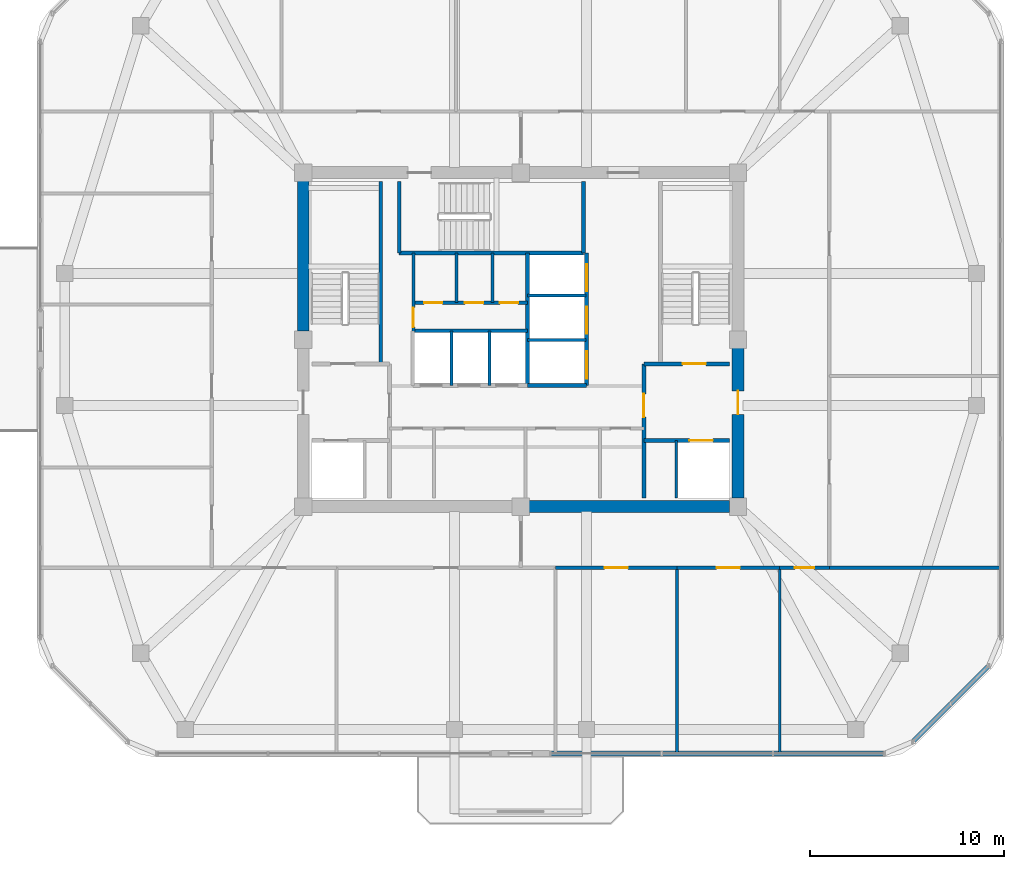
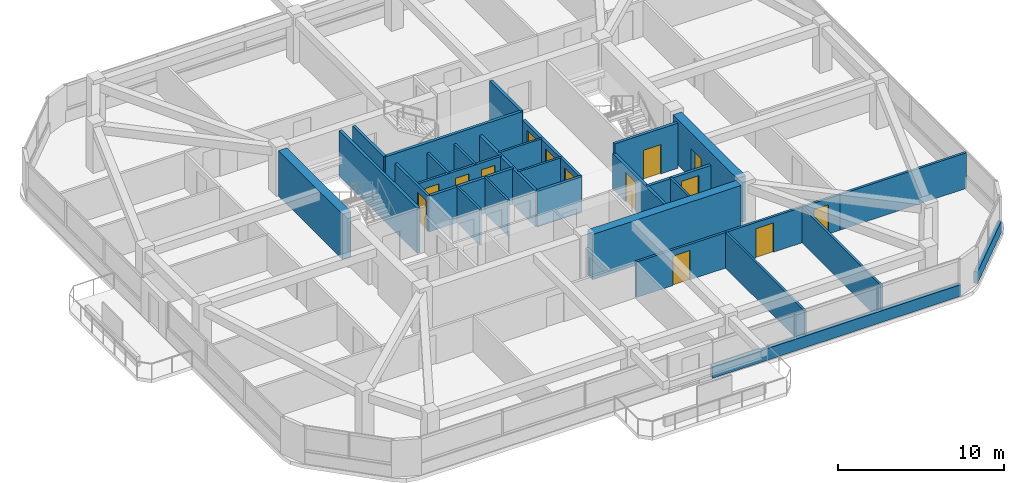
# One storey, part 9 of 13: 31 walls, 14 doors, 14 openings.
"""IFC4 building model written with IfcOpenShell, lengths in metres."""

import ifcopenshell
import ifcopenshell.guid

model = None  # the IFC model being written
_history = None  # IfcOwnerHistory: only IFC2X3 demands one
_inside = {}  # id of a spatial element -> (the spatial element, [elements in it])
_under = {}  # id of a project, library or spatial element -> (it, [spatial elements below it])
_declared = {}  # id of a project -> (the project, [libraries it declares])
_typed = {}  # id of a type object -> (the type object, [elements of that type])
_made_of = {}  # id of a material, layer set ... -> (it, [elements and type objects made of it])


def new_model(schema):
    """Start an empty IFC model of exactly this schema.

    Asked for "IFC4X3", IfcOpenShell would pick the latest addendum, in which some entities
    have other attributes; the version numbers below select the first issue.
    IFC2X3 requires an IfcOwnerHistory on every rooted entity: one is made here for all.
    """
    global model, _history
    if schema == "IFC4X3":
        model = ifcopenshell.file(schema_version=(4, 3, 0, 0))
    else:
        model = ifcopenshell.file(schema=schema)
    _inside.clear()
    _under.clear()
    _declared.clear()
    _typed.clear()
    _made_of.clear()
    _history = None
    if model.schema == "IFC2X3":
        org = make("IfcOrganization", Name="unknown")
        user = make(
            "IfcPersonAndOrganization",
            ThePerson=make("IfcPerson", FamilyName="unknown"),
            TheOrganization=org,
        )
        app = make(
            "IfcApplication",
            ApplicationDeveloper=org,
            Version="unknown",
            ApplicationFullName="unknown",
            ApplicationIdentifier="unknown",
        )
        _history = make(
            "IfcOwnerHistory",
            OwningUser=user,
            OwningApplication=app,
            ChangeAction="ADDED",
            CreationDate=0,
        )
    return model


def make(cls, **values):
    """One entity of the class cls with the attributes given. An attribute that is None is left unset."""
    return model.create_entity(
        cls, **{name: value for name, value in values.items() if value is not None}
    )


def rooted(cls, **values):
    """An entity with a GlobalId (a new one), such as an element, a storey or a relation."""
    return make(cls, GlobalId=ifcopenshell.guid.new(), OwnerHistory=_history, **values)


def si_unit(unit_type, name, prefix=None):
    """IfcSIUnit, for example si_unit("LENGTHUNIT", "METRE", prefix="MILLI")."""
    return make("IfcSIUnit", UnitType=unit_type, Prefix=prefix, Name=name)


def derived_unit(unit_type, elements):
    """IfcDerivedUnit: a product of units, each with its exponent."""
    return make(
        "IfcDerivedUnit",
        Elements=[
            make("IfcDerivedUnitElement", Unit=unit, Exponent=power)
            for unit, power in elements
        ],
        UnitType=unit_type,
    )


def assignment(units):
    """IfcUnitAssignment: the units of a project."""
    return None if units is None else make("IfcUnitAssignment", Units=units)


def point(xyz):
    """IfcCartesianPoint."""
    return None if xyz is None else make("IfcCartesianPoint", Coordinates=xyz)


def direction(xyz):
    """IfcDirection."""
    return None if xyz is None else make("IfcDirection", DirectionRatios=xyz)


def frame(location, z_axis=None, x_axis=None):
    """IfcAxis2Placement3D, a coordinate frame: its origin and axes. An axis left out is left unset."""
    return make(
        "IfcAxis2Placement3D",
        Location=point(location),
        Axis=direction(z_axis),
        RefDirection=direction(x_axis),
    )


def frame_2d(location, x_axis=None):
    """IfcAxis2Placement2D, a coordinate frame in the plane: its origin and x axis."""
    return make(
        "IfcAxis2Placement2D", Location=point(location), RefDirection=direction(x_axis)
    )


def origin():
    """The frame at (0, 0, 0) with its axes left unset."""
    return frame((0.0, 0.0, 0.0))


def place(relative_to, where):
    """IfcLocalPlacement: puts the frame where relative to a parent placement (None: the world)."""
    return make(
        "IfcLocalPlacement", PlacementRelTo=relative_to, RelativePlacement=where
    )


def context(
    kind, dimensions, precision=None, world=None, true_north=None, identifier=None
):
    """IfcGeometricRepresentationContext, for example the 3D "Model" context."""
    return make(
        "IfcGeometricRepresentationContext",
        ContextIdentifier=identifier,
        ContextType=kind,
        CoordinateSpaceDimension=dimensions,
        Precision=precision,
        WorldCoordinateSystem=world,
        TrueNorth=true_north,
    )


def subcontext(parent, identifier, kind, view, scale=None):
    """IfcGeometricRepresentationSubContext, for example "Body" below "Model"."""
    return make(
        "IfcGeometricRepresentationSubContext",
        ContextIdentifier=identifier,
        ContextType=kind,
        ParentContext=parent,
        TargetScale=scale,
        TargetView=view,
    )


def project(units=None, contexts=None):
    """IfcProject with its units and contexts."""
    return rooted(
        "IfcProject",
        Name="project",
        RepresentationContexts=contexts,
        UnitsInContext=assignment(units),
    )


def spatial(cls, under=None, at=None, **own):
    """A site, building, storey or space (cls), placed at a placement, below another one or the project."""
    s = rooted(cls, ObjectPlacement=at, **own)
    if under is not None:
        _under.setdefault(under.id(), (under, []))[1].append(s)
    return s


def profile(cls, at=None, kind="AREA", **sizes):
    """A parametric profile (cls). Its sizes go by their IFC names, for example OverallWidth=200.0."""
    return make(cls, ProfileType=kind, Position=at, **sizes)


def rectangle(**sizes):
    """IfcRectangleProfileDef."""
    return profile("IfcRectangleProfileDef", **sizes)


def extrude(swept, where, along, depth):
    """IfcExtrudedAreaSolid: the profile swept, set in the frame where, extruded along a direction by depth."""
    return make(
        "IfcExtrudedAreaSolid",
        SweptArea=swept,
        Position=where,
        ExtrudedDirection=direction(along),
        Depth=depth,
    )


def shape(context_of_items, identifier, shape_type, items):
    """IfcShapeRepresentation: the items that make up one representation, for example the "Body"."""
    return make(
        "IfcShapeRepresentation",
        ContextOfItems=context_of_items,
        RepresentationIdentifier=identifier,
        RepresentationType=shape_type,
        Items=items,
    )


def material(Name=None, Category=None):
    """IfcMaterial."""
    return make("IfcMaterial", Name=Name, Category=Category)


def layer(
    of_material, thickness, ventilated=None, Name=None, Category=None, Priority=None
):
    """IfcMaterialLayer: one layer of a wall or slab, of a material (None: an air gap)."""
    return make(
        "IfcMaterialLayer",
        Material=of_material,
        LayerThickness=thickness,
        IsVentilated=ventilated,
        Name=Name,
        Category=Category,
        Priority=Priority,
    )


def layer_set(layers, Name=None):
    """IfcMaterialLayerSet."""
    return make("IfcMaterialLayerSet", MaterialLayers=layers, LayerSetName=Name)


def made_of(thing, what):
    """Note that an element or type object is made of a material, layer set ...; save() writes the relation."""
    if what is not None:
        _made_of.setdefault(what.id(), (what, []))[1].append(thing)
    return thing


def type_object(cls, material=None, **own):
    """A type object (cls), such as IfcWallType, which elements share."""
    return made_of(rooted(cls, **own), material)


def element(
    cls,
    number,
    at=None,
    inside=None,
    cuts=None,
    type_object=None,
    material=None,
    context=None,
    identifier="Body",
    shape_type=None,
    held_by="IfcProductDefinitionShape",
    body=None,
    shapes=None,
    **own,
):
    """One element of the class cls, such as IfcWall. Its Tag is "e" and its number.

    at: its placement. inside: the storey or other place that contains it. cuts: it is an
    opening in that element (IfcRelVoidsElement). A single representation is given by context,
    identifier, shape_type and body (its items); several are given by shapes. held_by: the class
    of the entity that holds the representations. save() writes the other relations.
    """
    e = rooted(cls, Tag="e%d" % number, ObjectPlacement=at, **own)
    if body is not None:
        shapes = [shape(context, identifier, shape_type, body)]
    if shapes is not None:
        e.Representation = make(held_by, Representations=shapes)
    if inside is not None:
        _inside.setdefault(inside.id(), (inside, []))[1].append(e)
    if cuts is not None:
        rooted(
            "IfcRelVoidsElement", RelatingBuildingElement=cuts, RelatedOpeningElement=e
        )
    if type_object is not None:
        _typed.setdefault(type_object.id(), (type_object, []))[1].append(e)
    return made_of(e, material)


def fill(opening, filler):
    """IfcRelFillsElement: the door or window that sits in an opening."""
    return rooted(
        "IfcRelFillsElement",
        RelatingOpeningElement=opening,
        RelatedBuildingElement=filler,
    )


def aggregate(whole, parts):
    """IfcRelAggregates: a whole, such as a stair, and the parts it consists of."""
    return rooted("IfcRelAggregates", RelatingObject=whole, RelatedObjects=parts)


def save(model, path):
    """Write the relations noted so far, then the file.

    IfcRelAggregates (storeys below a building ...), IfcRelContainedInSpatialStructure (elements
    in a storey), IfcRelDefinesByType, IfcRelAssociatesMaterial and IfcRelDeclares: one each for
    every whole, place, type object, material and project.
    """
    for whole, parts in _under.values():
        aggregate(whole, parts)
    for where, things in _inside.values():
        rooted(
            "IfcRelContainedInSpatialStructure",
            RelatedElements=things,
            RelatingStructure=where,
        )
    for kind, things in _typed.values():
        rooted("IfcRelDefinesByType", RelatedObjects=things, RelatingType=kind)
    for what, things in _made_of.values():
        rooted("IfcRelAssociatesMaterial", RelatedObjects=things, RelatingMaterial=what)
    for by, libraries in _declared.values():
        rooted("IfcRelDeclares", RelatingContext=by, RelatedDefinitions=libraries)
    model.write(path)


model = new_model("IFC4")

# Units and contexts
model_context = context("Model", 3, precision=1e-05, world=origin(), true_north=direction((0.0, 1.0)))
body_context = subcontext(model_context, "Body", "Model", "MODEL_VIEW")
ifc_project = project(units=[si_unit("LENGTHUNIT", "METRE"), si_unit("AREAUNIT", "SQUARE_METRE"), si_unit("VOLUMEUNIT", "CUBIC_METRE"), si_unit("PLANEANGLEUNIT", "RADIAN"), si_unit("MASSUNIT", "GRAM", prefix="KILO"), derived_unit("THERMALTRANSMITTANCEUNIT", [(si_unit("POWERUNIT", "WATT"), 1), (si_unit("LENGTHUNIT", "METRE"), -2), (si_unit("THERMODYNAMICTEMPERATUREUNIT", "KELVIN"), -1)])], contexts=[model_context])

# Site, building, storey
site_placement = place(None, origin())
site = spatial("IfcSite", under=ifc_project, at=site_placement, CompositionType="ELEMENT")
building_placement = place(site_placement, origin())
building = spatial("IfcBuilding", under=site, at=building_placement, Name="Koralith Skygarden Medical Center", CompositionType="ELEMENT")
storey_placement = place(building_placement, frame((0.0, 0.0, 250.02001953125)))
storey = spatial("IfcBuildingStorey", under=building, at=storey_placement, Name="L64", CompositionType="ELEMENT", Elevation=250.02001953125)

# Walls
ifc_material_1 = material(Name="Gypsum Board Partition")
ifc_layer_1 = layer(ifc_material_1, 0.14990234375)
ifc_layer_set_1 = layer_set([ifc_layer_1], Name="Gypsum Board Partition")
wall_type_1 = type_object("IfcWallType", Name="Clinical Acoustic Partition 150", PredefinedType="PARTITIONING", material=ifc_layer_set_1)
for number, where, z_axis, x_axis, name in (
    (1, (33.699951171875, 27.800048828125, 0.0), (0.0, 0.0, 1.0), (0.0, 1.0, 0.0), "L64 Clinical Acoustic Partition 150 W-CORE-L64-FLEX-V2A"),
    (2, (35.56005859375, 27.800048828125, 0.0), (0.0, 0.0, 1.0), (0.0, 1.0, 0.0), "L64 Clinical Acoustic Partition 150 W-CORE-L64-FLEX-V2B"),
):
    element("IfcWall", number, at=place(storey_placement, frame(where, z_axis=z_axis, x_axis=x_axis)), inside=storey, type_object=wall_type_1, Name=name, PredefinedType="PARTITIONING", context=body_context, shape_type="SweptSolid", body=[
        extrude(rectangle(XDim=2.56005859375, YDim=0.14990234375, at=frame_2d((1.280029296875, 0.0))), origin(), (0.0, 0.0, 1.0), 2.60986328125),
    ])
for number, where, z_axis, x_axis, name in (
    (3, (45.051025390625, 14.14990234375, 0.0), (0.0, 0.0, 1.0), (0.0, -1.0, 0.0), "L64 Clinical Acoustic Partition 150 W-PART-L64-S-03"),
    (4, (50.35009765625, 14.14990234375, 0.0), (0.0, 0.0, 1.0), (0.0, -1.0, 0.0), "L64 Clinical Acoustic Partition 150 W-PART-L64-S-04"),
):
    element("IfcWall", number, at=place(storey_placement, frame(where, z_axis=z_axis, x_axis=x_axis)), inside=storey, type_object=wall_type_1, Name=name, PredefinedType="PARTITIONING", context=body_context, shape_type="SweptSolid", body=[
        extrude(rectangle(XDim=9.5498046875, YDim=0.14990234375, at=frame_2d((4.77490234375, 0.0))), origin(), (0.0, 0.0, 1.0), 2.60986328125),
    ])
ifc_layer_2 = layer(ifc_material_1, 0.1650390625)
ifc_layer_set_2 = layer_set([ifc_layer_2], Name="Gypsum Board Partition")
wall_type_2 = type_object("IfcWallType", Name="Clinical Corridor Partition 165", PredefinedType="PARTITIONING", material=ifc_layer_set_2)
wall_1_placement = place(storey_placement, frame((52.89990234375, 14.14990234375, 0.0), z_axis=(0.0, 0.0, 1.0), x_axis=(1.0, 0.0, 0.0)))
element("IfcWall", 5, at=wall_1_placement, inside=storey, type_object=wall_type_2, Name="L64 Clinical Corridor Partition 165 W-WB-L64-SE", PredefinedType="PARTITIONING", context=body_context, shape_type="SweptSolid", body=[
    extrude(rectangle(XDim=8.800048828125, YDim=0.1650390625, at=frame_2d((4.39990234375, 0.0))), origin(), (0.0, 0.0, 1.0), 2.60986328125),
])

# Wall, opening, door
wall_2_placement = place(storey_placement, frame((38.800048828125, 14.14990234375, 0.0), z_axis=(0.0, 0.0, 1.0), x_axis=(1.0, 0.0, 0.0)))
wall_2 = element("IfcWall", 6, at=wall_2_placement, inside=storey, type_object=wall_type_2, Name="L64 Clinical Corridor Partition 165 W-CORR-L64-S-03", PredefinedType="PARTITIONING", context=body_context, shape_type="SweptSolid", body=[
    extrude(rectangle(XDim=6.2509765625, YDim=0.1650390625, at=frame_2d((3.12548828125, 0.0))), origin(), (0.0, 0.0, 1.0), 2.60986328125),
])
opening_1_placement = place(wall_2_placement, frame((2.52587890625, 0.0, 0.0)))
opening_1 = element("IfcOpeningElement", 7, at=opening_1_placement, cuts=wall_2, Name="Opening D-CLN", PredefinedType="OPENING", context=body_context, shape_type="SweptSolid", body=[
    extrude(rectangle(XDim=1.199951171875, YDim=2.14990234375, at=frame_2d((0.60009765625, 1.074951171875))), frame((0.0, 0.092529296875, 0.0), z_axis=(0.0, -1.0, 0.0), x_axis=(1.0, 0.0, 0.0)), (0.0, 0.0, 1.0), 0.18505859375),
])
ifc_material_2 = material(Name="Aluminium 6063-T6", Category="aluminium")
door_type_1 = type_object("IfcDoorType", Name="Clinical Corridor Door D-CLN 1200", OperationType="NOTDEFINED", PredefinedType="DOOR", material=ifc_material_2)
door_1_placement = place(opening_1_placement, frame((1.199951171875, 0.0, 0.0), z_axis=(0.0, 0.0, 1.0), x_axis=(-1.0, 0.0, 0.0)))
door_1 = element("IfcDoor", 8, at=door_1_placement, inside=storey, type_object=door_type_1, Name="L64 Social Work Counseling Office 08 Door", OperationType="SINGLE_SWING_LEFT", OverallHeight=2.14990234375, OverallWidth=1.199951171875, PredefinedType="DOOR", context=body_context, shape_type="SweptSolid", body=[
    extrude(rectangle(XDim=1.199951171875, YDim=2.14990234375, at=frame_2d((0.60009765625, 1.074951171875))), frame((0.0, 0.02490234375, 0.0), z_axis=(0.0, -1.0, 0.0), x_axis=(1.0, 0.0, 0.0)), (0.0, 0.0, 1.0), 0.050048828125),
])
fill(opening_1, door_1)

wall_3_placement = place(storey_placement, frame((45.051025390625, 14.14990234375, 0.0), z_axis=(0.0, 0.0, 1.0), x_axis=(1.0, 0.0, 0.0)))
wall_3 = element("IfcWall", 9, at=wall_3_placement, inside=storey, type_object=wall_type_2, Name="L64 Clinical Corridor Partition 165 W-CORR-L64-S-04", PredefinedType="PARTITIONING", context=body_context, shape_type="SweptSolid", body=[
    extrude(rectangle(XDim=5.299072265625, YDim=0.1650390625, at=frame_2d((2.6494140625, 0.0))), origin(), (0.0, 0.0, 1.0), 2.60986328125),
])
opening_2_placement = place(wall_3_placement, frame((2.049072265625, 0.0, 0.0)))
opening_2 = element("IfcOpeningElement", 10, at=opening_2_placement, cuts=wall_3, Name="Opening D-CLN", PredefinedType="OPENING", context=body_context, shape_type="SweptSolid", body=[
    extrude(rectangle(XDim=1.199951171875, YDim=2.14990234375, at=frame_2d((0.60009765625, 1.074951171875))), frame((0.0, 0.092529296875, 0.0), z_axis=(0.0, -1.0, 0.0), x_axis=(1.0, 0.0, 0.0)), (0.0, 0.0, 1.0), 0.18505859375),
])
door_2_placement = place(opening_2_placement, frame((1.199951171875, 0.0, 0.0), z_axis=(0.0, 0.0, 1.0), x_axis=(-1.0, 0.0, 0.0)))
door_2 = element("IfcDoor", 11, at=door_2_placement, inside=storey, type_object=door_type_1, Name="L64 Clinical Consultation Office 09 Door", OperationType="SINGLE_SWING_RIGHT", OverallHeight=2.14990234375, OverallWidth=1.199951171875, PredefinedType="DOOR", context=body_context, shape_type="SweptSolid", body=[
    extrude(rectangle(XDim=1.199951171875, YDim=2.14990234375, at=frame_2d((0.60009765625, 1.074951171875))), frame((0.0, 0.02490234375, 0.0), z_axis=(0.0, -1.0, 0.0), x_axis=(1.0, 0.0, 0.0)), (0.0, 0.0, 1.0), 0.050048828125),
])
fill(opening_2, door_2)

wall_4_placement = place(storey_placement, frame((50.35009765625, 14.14990234375, 0.0), z_axis=(0.0, 0.0, 1.0), x_axis=(1.0, 0.0, 0.0)))
wall_4 = element("IfcWall", 12, at=wall_4_placement, inside=storey, type_object=wall_type_2, Name="L64 Clinical Corridor Partition 165 W-CORR-L64-S-05", PredefinedType="PARTITIONING", context=body_context, shape_type="SweptSolid", body=[
    extrude(rectangle(XDim=2.5498046875, YDim=0.1650390625, at=frame_2d((1.27490234375, 0.0))), origin(), (0.0, 0.0, 1.0), 2.60986328125),
])
opening_3_placement = place(wall_4_placement, frame((0.77490234375, 0.0, 0.0)))
opening_3 = element("IfcOpeningElement", 13, at=opening_3_placement, cuts=wall_4, Name="Opening D-SUP", PredefinedType="OPENING", context=body_context, shape_type="SweptSolid", body=[
    extrude(rectangle(XDim=1.0, YDim=2.14990234375, at=frame_2d((0.5, 1.074951171875))), frame((0.0, 0.092529296875, 0.0), z_axis=(0.0, -1.0, 0.0), x_axis=(1.0, 0.0, 0.0)), (0.0, 0.0, 1.0), 0.18505859375),
])
door_type_2 = type_object("IfcDoorType", Name="Clinical Support Door D-SUP 1000", OperationType="NOTDEFINED", PredefinedType="DOOR", material=ifc_material_2)
door_3_placement = place(opening_3_placement, frame((1.0, 0.0, 0.0), z_axis=(0.0, 0.0, 1.0), x_axis=(-1.0, 0.0, 0.0)))
door_3 = element("IfcDoor", 14, at=door_3_placement, inside=storey, type_object=door_type_2, Name="L64 Staff Refreshment and Nutrition Pantry 10 Door", OperationType="SINGLE_SWING_LEFT", OverallHeight=2.14990234375, OverallWidth=1.0, PredefinedType="DOOR", context=body_context, shape_type="SweptSolid", body=[
    extrude(rectangle(XDim=1.0, YDim=2.14990234375, at=frame_2d((0.5, 1.074951171875))), frame((0.0, 0.02490234375, 0.0), z_axis=(0.0, -1.0, 0.0), x_axis=(1.0, 0.0, 0.0)), (0.0, 0.0, 1.0), 0.050048828125),
])
fill(opening_3, door_3)

ifc_layer_3 = layer(ifc_material_1, 0.199951171875)
ifc_layer_set_3 = layer_set([ifc_layer_3], Name="Gypsum Board Partition")
wall_type_3 = type_object("IfcWallType", Name="Fire Shaft Wall 200", PredefinedType="SOLIDWALL", material=ifc_layer_set_3)
wall_5_placement = place(storey_placement, frame((43.35009765625, 20.699951171875, 0.0), z_axis=(0.0, 0.0, 1.0), x_axis=(1.0, 0.0, 0.0)))
wall_5 = element("IfcWall", 15, at=wall_5_placement, inside=storey, type_object=wall_type_3, Name="L64 Fire Shaft Wall 200 W-CORE-L64-FF2-N", PredefinedType="SOLIDWALL", context=body_context, shape_type="SweptSolid", body=[
    extrude(rectangle(XDim=4.39990234375, YDim=0.199951171875, at=frame_2d((2.199951171875, 0.0))), origin(), (0.0, 0.0, 1.0), 2.60986328125),
])
opening_4_placement = place(wall_5_placement, frame((2.35009765625, 0.0, 0.0)))
opening_4 = element("IfcOpeningElement", 16, at=opening_4_placement, cuts=wall_5, Name="Opening LD-FF", PredefinedType="OPENING", context=body_context, shape_type="SweptSolid", body=[
    extrude(rectangle(XDim=1.199951171875, YDim=2.14990234375, at=frame_2d((0.60009765625, 1.074951171875))), frame((0.0, 0.10986328125, 0.0), z_axis=(0.0, -1.0, 0.0), x_axis=(1.0, 0.0, 0.0)), (0.0, 0.0, 1.0), 0.219970703125),
])
ifc_material_3 = material(Name="Steel ASTM A500 Grade C", Category="steel")
door_type_3 = type_object("IfcDoorType", Name="Fire Lift Sliding Landing Door LD-FF 1200", OperationType="NOTDEFINED", PredefinedType="DOOR", material=ifc_material_3)
door_4_placement = place(opening_4_placement, origin())
door_4 = element("IfcDoor", 17, at=door_4_placement, inside=storey, type_object=door_type_3, Name="L64 Fire Service Elevator FF2 Landing Door", OperationType="SLIDING_TO_RIGHT", OverallHeight=2.14990234375, OverallWidth=1.199951171875, PredefinedType="DOOR", context=body_context, shape_type="SweptSolid", body=[
    extrude(rectangle(XDim=1.199951171875, YDim=2.14990234375, at=frame_2d((0.60009765625, 1.074951171875))), frame((0.0, 0.02490234375, 0.0), z_axis=(0.0, -1.0, 0.0), x_axis=(1.0, 0.0, 0.0)), (0.0, 0.0, 1.0), 0.050048828125),
])
fill(opening_4, door_4)

wall_6_placement = place(storey_placement, frame((43.35009765625, 17.75, 0.0), z_axis=(0.0, 0.0, 1.0), x_axis=(0.0, 1.0, 0.0)))
wall_6 = element("IfcWall", 18, at=wall_6_placement, inside=storey, type_object=wall_type_3, Name="L64 Fire Shaft Wall 200 W-CORE-L64-FSAEE-W", PredefinedType="SOLIDWALL", context=body_context, shape_type="SweptSolid", body=[
    extrude(rectangle(XDim=6.89990234375, YDim=0.199951171875, at=frame_2d((3.449951171875, 0.0))), origin(), (0.0, 0.0, 1.0), 2.60986328125),
])
opening_5_placement = place(wall_6_placement, frame((4.14990234375, 0.0, 0.0)))
opening_5 = element("IfcOpeningElement", 19, at=opening_5_placement, cuts=wall_6, Name="Opening D-ST60", PredefinedType="OPENING", context=body_context, shape_type="SweptSolid", body=[
    extrude(rectangle(XDim=1.199951171875, YDim=2.14990234375, at=frame_2d((0.60009765625, 1.074951171875))), frame((0.0, 0.10986328125, 0.0), z_axis=(0.0, -1.0, 0.0), x_axis=(1.0, 0.0, 0.0)), (0.0, 0.0, 1.0), 0.219970703125),
])
door_type_4 = type_object("IfcDoorType", Name="Smokeproof Stair Fire Door FD60S 1200", OperationType="NOTDEFINED", PredefinedType="DOOR", material=ifc_material_3)
door_5_placement = place(opening_5_placement, frame((1.199951171875, 0.0, 0.0), z_axis=(0.0, 0.0, 1.0), x_axis=(-1.0, 0.0, 0.0)))
door_5 = element("IfcDoor", 20, at=door_5_placement, inside=storey, type_object=door_type_4, Name="L64 East Firefighting Lobby Inner Fire Door", OperationType="SINGLE_SWING_RIGHT", OverallHeight=2.14990234375, OverallWidth=1.199951171875, PredefinedType="DOOR", context=body_context, shape_type="SweptSolid", body=[
    extrude(rectangle(XDim=1.199951171875, YDim=2.14990234375, at=frame_2d((0.60009765625, 1.074951171875))), frame((0.0, 0.02490234375, 0.0), z_axis=(0.0, -1.0, 0.0), x_axis=(1.0, 0.0, 0.0)), (0.0, 0.0, 1.0), 0.050048828125),
])
fill(opening_5, door_5)

# Walls
wall_7_placement = place(storey_placement, frame((31.449951171875, 26.35009765625, 0.0), z_axis=(0.0, 0.0, 1.0), x_axis=(1.0, 0.0, 0.0)))
element("IfcWall", 21, at=wall_7_placement, inside=storey, type_object=wall_type_3, Name="L64 Fire Shaft Wall 200 W-CORE-L64-PH-N", PredefinedType="SOLIDWALL", context=body_context, shape_type="SweptSolid", body=[
    extrude(rectangle(XDim=5.900146484375, YDim=0.199951171875, at=frame_2d((2.9501953125, 0.0))), origin(), (0.0, 0.0, 1.0), 2.60986328125),
])
wall_8_placement = place(storey_placement, frame((37.35009765625, 23.5400390625, 0.0), z_axis=(0.0, 0.0, 1.0), x_axis=(0.0, 1.0, 0.0)))
element("IfcWall", 22, at=wall_8_placement, inside=storey, type_object=wall_type_3, Name="L64 Fire Shaft Wall 200 W-CORE-L64-SV-W", PredefinedType="SOLIDWALL", context=body_context, shape_type="SweptSolid", body=[
    extrude(rectangle(XDim=6.820068359375, YDim=0.199951171875, at=frame_2d((3.41015625, 0.0))), origin(), (0.0, 0.0, 1.0), 2.60986328125),
])
wall_9_placement = place(storey_placement, frame((37.35009765625, 23.5400390625, 0.0), z_axis=(0.0, 0.0, 1.0), x_axis=(1.0, 0.0, 0.0)))
element("IfcWall", 23, at=wall_9_placement, inside=storey, type_object=wall_type_3, Name="L64 Fire Shaft Wall 200 W-CORE-L64-SV-S", PredefinedType="SOLIDWALL", context=body_context, shape_type="SweptSolid", body=[
    extrude(rectangle(XDim=3.0498046875, YDim=0.199951171875, at=frame_2d((1.52490234375, 0.0))), origin(), (0.0, 0.0, 1.0), 2.60986328125),
])

# Wall, openings, doors
wall_10_placement = place(storey_placement, frame((40.39990234375, 23.5400390625, 0.0), z_axis=(0.0, 0.0, 1.0), x_axis=(0.0, 1.0, 0.0)))
wall_10 = element("IfcWall", 24, at=wall_10_placement, inside=storey, type_object=wall_type_3, Name="L64 Fire Shaft Wall 200 W-CORE-L64-SV-E", PredefinedType="SOLIDWALL", context=body_context, shape_type="SweptSolid", body=[
    extrude(rectangle(XDim=6.820068359375, YDim=0.199951171875, at=frame_2d((3.41015625, 0.0))), origin(), (0.0, 0.0, 1.0), 2.60986328125),
])
opening_6_placement = place(wall_10_placement, frame((0.35009765625, 0.0, 0.0)))
opening_6 = element("IfcOpeningElement", 25, at=opening_6_placement, cuts=wall_10, Name="Opening LD-SV", PredefinedType="OPENING", context=body_context, shape_type="SweptSolid", body=[
    extrude(rectangle(XDim=1.39990234375, YDim=2.199951171875, at=frame_2d((0.699951171875, 1.10009765625))), frame((0.0, 0.10986328125, 0.0), z_axis=(0.0, -1.0, 0.0), x_axis=(1.0, 0.0, 0.0)), (0.0, 0.0, 1.0), 0.219970703125),
])
opening_7_placement = place(wall_10_placement, frame((2.64990234375, 0.0, 0.0)))
opening_7 = element("IfcOpeningElement", 26, at=opening_7_placement, cuts=wall_10, Name="Opening LD-SV", PredefinedType="OPENING", context=body_context, shape_type="SweptSolid", body=[
    extrude(rectangle(XDim=1.39990234375, YDim=2.199951171875, at=frame_2d((0.699951171875, 1.10009765625))), frame((0.0, 0.10986328125, 0.0), z_axis=(0.0, -1.0, 0.0), x_axis=(1.0, 0.0, 0.0)), (0.0, 0.0, 1.0), 0.219970703125),
])
opening_8_placement = place(wall_10_placement, frame((4.85009765625, 0.0, 0.0)))
opening_8 = element("IfcOpeningElement", 27, at=opening_8_placement, cuts=wall_10, Name="Opening LD-SV", PredefinedType="OPENING", context=body_context, shape_type="SweptSolid", body=[
    extrude(rectangle(XDim=1.39990234375, YDim=2.199951171875, at=frame_2d((0.699951171875, 1.10009765625))), frame((0.0, 0.10986328125, 0.0), z_axis=(0.0, -1.0, 0.0), x_axis=(1.0, 0.0, 0.0)), (0.0, 0.0, 1.0), 0.219970703125),
])
door_type_5 = type_object("IfcDoorType", Name="Bed Lift Sliding Landing Door LD-SV 1400", OperationType="NOTDEFINED", PredefinedType="DOOR", material=ifc_material_3)
door_6_placement = place(opening_6_placement, origin())
door_6 = element("IfcDoor", 28, at=door_6_placement, inside=storey, type_object=door_type_5, Name="L64 Bed Elevator BD1 Landing Door", OperationType="SLIDING_TO_LEFT", OverallHeight=2.199951171875, OverallWidth=1.39990234375, PredefinedType="DOOR", context=body_context, shape_type="SweptSolid", body=[
    extrude(rectangle(XDim=1.39990234375, YDim=2.199951171875, at=frame_2d((0.699951171875, 1.10009765625))), frame((0.0, 0.02490234375, 0.0), z_axis=(0.0, -1.0, 0.0), x_axis=(1.0, 0.0, 0.0)), (0.0, 0.0, 1.0), 0.050048828125),
])
fill(opening_6, door_6)
door_7_placement = place(opening_7_placement, origin())
door_7 = element("IfcDoor", 29, at=door_7_placement, inside=storey, type_object=door_type_5, Name="L64 Service Elevator BD2 Landing Door", OperationType="SLIDING_TO_LEFT", OverallHeight=2.199951171875, OverallWidth=1.39990234375, PredefinedType="DOOR", context=body_context, shape_type="SweptSolid", body=[
    extrude(rectangle(XDim=1.39990234375, YDim=2.199951171875, at=frame_2d((0.699951171875, 1.10009765625))), frame((0.0, 0.02490234375, 0.0), z_axis=(0.0, -1.0, 0.0), x_axis=(1.0, 0.0, 0.0)), (0.0, 0.0, 1.0), 0.050048828125),
])
fill(opening_7, door_7)
door_8_placement = place(opening_8_placement, origin())
door_8 = element("IfcDoor", 30, at=door_8_placement, inside=storey, type_object=door_type_5, Name="L64 Trauma Elevator TR1 Landing Door", OperationType="SLIDING_TO_RIGHT", OverallHeight=2.199951171875, OverallWidth=1.39990234375, PredefinedType="DOOR", context=body_context, shape_type="SweptSolid", body=[
    extrude(rectangle(XDim=1.39990234375, YDim=2.199951171875, at=frame_2d((0.699951171875, 1.10009765625))), frame((0.0, 0.02490234375, 0.0), z_axis=(0.0, -1.0, 0.0), x_axis=(1.0, 0.0, 0.0)), (0.0, 0.0, 1.0), 0.050048828125),
])
fill(opening_8, door_8)

# Walls
ifc_material_4 = material(Name="Warm Oolitic Limestone Cladding", Category="masonry")
ifc_layer_4 = layer(ifc_material_4, 0.239990234375)
ifc_layer_set_4 = layer_set([ifc_layer_4], Name="Warm Oolitic Limestone Cladding")
wall_type_4 = type_object("IfcWallType", Name="Limestone Spandrel Sill Backup Wall 240", PredefinedType="SOLIDWALL", material=ifc_layer_set_4)
wall_11_placement = place(storey_placement, frame((38.5390625, 4.580078125, 0.0), z_axis=(0.0, 0.0, 1.0), x_axis=(1.0, 0.0, 0.0)))
element("IfcWall", 31, at=wall_11_placement, inside=storey, type_object=wall_type_4, Name="L64 Sill Spandrel S-R", PredefinedType="SOLIDWALL", context=body_context, shape_type="SweptSolid", body=[
    extrude(rectangle(XDim=17.2060546875, YDim=0.239990234375, at=frame_2d((8.60302734375, 0.0))), origin(), (0.0, 0.0, 1.0), 0.85009765625),
])
wall_12_placement = place(storey_placement, frame((57.196044921875, 5.180908203125, 0.0), z_axis=(0.0, 0.0, 1.0), x_axis=(0.707084777957, 0.707128783731, 0.0)))
element("IfcWall", 32, at=wall_12_placement, inside=storey, type_object=wall_type_4, Name="L64 Sill Spandrel SE", PredefinedType="SOLIDWALL", context=body_context, shape_type="SweptSolid", body=[
    extrude(rectangle(XDim=5.5478515625, YDim=0.239990234375, at=frame_2d((2.77392578125, 0.0))), origin(), (0.0, 0.0, 1.0), 0.85009765625),
])

# Wall, opening, door
ifc_layer_5 = layer(ifc_material_1, 0.1650390625)
ifc_layer_set_5 = layer_set([ifc_layer_5], Name="Gypsum Board Partition")
wall_type_5 = type_object("IfcWallType", Name="Plumbing Wet Wall 165", PredefinedType="PLUMBINGWALL", material=ifc_layer_set_5)
wall_13_placement = place(storey_placement, frame((31.47998046875, 26.320068359375, 0.0), z_axis=(0.0, 0.0, 1.0), x_axis=(0.0, 1.0, 0.0)))
wall_13 = element("IfcWall", 33, at=wall_13_placement, inside=storey, type_object=wall_type_5, Name="L64 Plumbing Wet Wall 165 W-CORE-L64-FLEX-W", PredefinedType="PLUMBINGWALL", context=body_context, shape_type="SweptSolid", body=[
    extrude(rectangle(XDim=4.0400390625, YDim=0.1650390625, at=frame_2d((2.02001953125, 0.0))), origin(), (0.0, 0.0, 1.0), 2.60986328125),
])
opening_9_placement = place(wall_13_placement, frame((0.219970703125, 0.0, 0.0)))
opening_9 = element("IfcOpeningElement", 34, at=opening_9_placement, cuts=wall_13, Name="Opening D-SUP", PredefinedType="OPENING", context=body_context, shape_type="SweptSolid", body=[
    extrude(rectangle(XDim=1.0, YDim=2.14990234375, at=frame_2d((0.5, 1.074951171875))), frame((0.0, 0.092529296875, 0.0), z_axis=(0.0, -1.0, 0.0), x_axis=(1.0, 0.0, 0.0)), (0.0, 0.0, 1.0), 0.18505859375),
])
door_9_placement = place(opening_9_placement, frame((1.0, 0.0, 0.0), z_axis=(0.0, 0.0, 1.0), x_axis=(-1.0, 0.0, 0.0)))
door_9 = element("IfcDoor", 35, at=door_9_placement, inside=storey, type_object=door_type_2, Name="L64 Core Service Alcove Door", OperationType="SINGLE_SWING_LEFT", OverallHeight=2.14990234375, OverallWidth=1.0, PredefinedType="DOOR", context=body_context, shape_type="SweptSolid", body=[
    extrude(rectangle(XDim=1.0, YDim=2.14990234375, at=frame_2d((0.5, 1.074951171875))), frame((0.0, 0.02490234375, 0.0), z_axis=(0.0, -1.0, 0.0), x_axis=(1.0, 0.0, 0.0)), (0.0, 0.0, 1.0), 0.050048828125),
])
fill(opening_9, door_9)

# Wall, openings, doors
wall_14_placement = place(storey_placement, frame((31.47998046875, 27.800048828125, 0.0), z_axis=(0.0, 0.0, 1.0), x_axis=(1.0, 0.0, 0.0)))
wall_14 = element("IfcWall", 36, at=wall_14_placement, inside=storey, type_object=wall_type_5, Name="L64 Plumbing Wet Wall 165 W-CORE-L64-FLEX-H2", PredefinedType="PLUMBINGWALL", context=body_context, shape_type="SweptSolid", body=[
    extrude(rectangle(XDim=5.8701171875, YDim=0.1650390625, at=frame_2d((2.93505859375, 0.0))), origin(), (0.0, 0.0, 1.0), 2.60986328125),
])
opening_10_placement = place(wall_14_placement, frame((0.550048828125, 0.0, 0.0)))
opening_10 = element("IfcOpeningElement", 37, at=opening_10_placement, cuts=wall_14, Name="Opening D-WC", PredefinedType="OPENING", context=body_context, shape_type="SweptSolid", body=[
    extrude(rectangle(XDim=0.949951171875, YDim=2.10009765625, at=frame_2d((0.47509765625, 1.050048828125))), frame((0.0, 0.092529296875, 0.0), z_axis=(0.0, -1.0, 0.0), x_axis=(1.0, 0.0, 0.0)), (0.0, 0.0, 1.0), 0.18505859375),
])
opening_11_placement = place(wall_14_placement, frame((2.64990234375, 0.0, 0.0)))
opening_11 = element("IfcOpeningElement", 38, at=opening_11_placement, cuts=wall_14, Name="Opening D-WC", PredefinedType="OPENING", context=body_context, shape_type="SweptSolid", body=[
    extrude(rectangle(XDim=0.949951171875, YDim=2.10009765625, at=frame_2d((0.47509765625, 1.050048828125))), frame((0.0, 0.092529296875, 0.0), z_axis=(0.0, -1.0, 0.0), x_axis=(1.0, 0.0, 0.0)), (0.0, 0.0, 1.0), 0.18505859375),
])
opening_12_placement = place(wall_14_placement, frame((4.449951171875, 0.0, 0.0)))
opening_12 = element("IfcOpeningElement", 39, at=opening_12_placement, cuts=wall_14, Name="Opening D-WC", PredefinedType="OPENING", context=body_context, shape_type="SweptSolid", body=[
    extrude(rectangle(XDim=0.949951171875, YDim=2.10009765625, at=frame_2d((0.47509765625, 1.050048828125))), frame((0.0, 0.092529296875, 0.0), z_axis=(0.0, -1.0, 0.0), x_axis=(1.0, 0.0, 0.0)), (0.0, 0.0, 1.0), 0.18505859375),
])
door_type_6 = type_object("IfcDoorType", Name="Accessible Toilet Door D-WC 950", OperationType="NOTDEFINED", PredefinedType="DOOR", material=ifc_material_2)
door_10_placement = place(opening_10_placement, origin())
door_10 = element("IfcDoor", 40, at=door_10_placement, inside=storey, type_object=door_type_6, Name="L64 Core Accessible WC Door", OperationType="SINGLE_SWING_LEFT", OverallHeight=2.10009765625, OverallWidth=0.949951171875, PredefinedType="DOOR", context=body_context, shape_type="SweptSolid", body=[
    extrude(rectangle(XDim=0.949951171875, YDim=2.10009765625, at=frame_2d((0.47509765625, 1.050048828125))), frame((0.0, 0.02490234375, 0.0), z_axis=(0.0, -1.0, 0.0), x_axis=(1.0, 0.0, 0.0)), (0.0, 0.0, 1.0), 0.050048828125),
])
fill(opening_10, door_10)
door_11_placement = place(opening_11_placement, origin())
door_11 = element("IfcDoor", 41, at=door_11_placement, inside=storey, type_object=door_type_6, Name="L64 Soiled Sluice Door", OperationType="SINGLE_SWING_LEFT", OverallHeight=2.10009765625, OverallWidth=0.949951171875, PredefinedType="DOOR", context=body_context, shape_type="SweptSolid", body=[
    extrude(rectangle(XDim=0.949951171875, YDim=2.10009765625, at=frame_2d((0.47509765625, 1.050048828125))), frame((0.0, 0.02490234375, 0.0), z_axis=(0.0, -1.0, 0.0), x_axis=(1.0, 0.0, 0.0)), (0.0, 0.0, 1.0), 0.050048828125),
])
fill(opening_11, door_11)
door_12_placement = place(opening_12_placement, origin())
door_12 = element("IfcDoor", 42, at=door_12_placement, inside=storey, type_object=door_type_6, Name="L64 Clean Linen Store Door", OperationType="SINGLE_SWING_RIGHT", OverallHeight=2.10009765625, OverallWidth=0.949951171875, PredefinedType="DOOR", context=body_context, shape_type="SweptSolid", body=[
    extrude(rectangle(XDim=0.949951171875, YDim=2.10009765625, at=frame_2d((0.47509765625, 1.050048828125))), frame((0.0, 0.02490234375, 0.0), z_axis=(0.0, -1.0, 0.0), x_axis=(1.0, 0.0, 0.0)), (0.0, 0.0, 1.0), 0.050048828125),
])
fill(opening_12, door_12)

# Walls
ifc_layer_6 = layer(ifc_material_1, 0.14990234375)
ifc_layer_set_6 = layer_set([ifc_layer_6], Name="Gypsum Board Partition")
wall_type_6 = type_object("IfcWallType", Name="Shaft Partition Wall 150", PredefinedType="PARTITIONING", material=ifc_layer_set_6)
wall_15_placement = place(storey_placement, frame((45.02001953125, 17.75, 0.0), z_axis=(0.0, 0.0, 1.0), x_axis=(0.0, 1.0, 0.0)))
element("IfcWall", 43, at=wall_15_placement, inside=storey, type_object=wall_type_6, Name="L64 Shaft Partition Wall 150 W-CORE-L64-RSRE-DIV", PredefinedType="PARTITIONING", context=body_context, shape_type="SweptSolid", body=[
    extrude(rectangle(XDim=2.949951171875, YDim=0.14990234375, at=frame_2d((1.47509765625, 0.0))), origin(), (0.0, 0.0, 1.0), 2.60986328125),
])
for number, where, z_axis, x_axis, name in (
    (44, (33.449951171875, 23.5400390625, 0.0), (0.0, 0.0, 1.0), (0.0, 1.0, 0.0), "L64 Shaft Partition Wall 150 W-CORE-L64-PH-D1"),
    (45, (35.39990234375, 23.5400390625, 0.0), (0.0, 0.0, 1.0), (0.0, 1.0, 0.0), "L64 Shaft Partition Wall 150 W-CORE-L64-PH-D2"),
):
    element("IfcWall", number, at=place(storey_placement, frame(where, z_axis=z_axis, x_axis=x_axis)), inside=storey, type_object=wall_type_6, Name=name, PredefinedType="PARTITIONING", context=body_context, shape_type="SweptSolid", body=[
        extrude(rectangle(XDim=2.81005859375, YDim=0.14990234375, at=frame_2d((1.405029296875, 0.0))), origin(), (0.0, 0.0, 1.0), 2.60986328125),
    ])
for number, where, z_axis, x_axis, name in (
    (46, (37.3701171875, 25.8701171875, 0.0), (0.0, 0.0, 1.0), (1.0, 0.0, 0.0), "L64 Shaft Partition Wall 150 W-CORE-L64-SV-D1"),
    (47, (37.3701171875, 28.169921875, 0.0), (0.0, 0.0, 1.0), (1.0, 0.0, 0.0), "L64 Shaft Partition Wall 150 W-CORE-L64-SV-D2"),
):
    element("IfcWall", number, at=place(storey_placement, frame(where, z_axis=z_axis, x_axis=x_axis)), inside=storey, type_object=wall_type_6, Name=name, PredefinedType="PARTITIONING", context=body_context, shape_type="SweptSolid", body=[
        extrude(rectangle(XDim=3.009765625, YDim=0.14990234375, at=frame_2d((1.5048828125, 0.0))), origin(), (0.0, 0.0, 1.0), 2.60986328125),
    ])
ifc_material_5 = material(Name="Concrete C45/55", Category="concrete")
ifc_layer_7 = layer(ifc_material_5, 0.199951171875)
ifc_layer_set_7 = layer_set([ifc_layer_7], Name="Concrete C45/55")
wall_type_7 = type_object("IfcWallType", Name="Structural Stair Shaft Wall 200", PredefinedType="SHEAR", material=ifc_layer_set_7)
wall_16_placement = place(storey_placement, frame((29.800048828125, 24.64990234375, 0.0), z_axis=(0.0, 0.0, 1.0), x_axis=(0.0, 1.0, 0.0)))
element("IfcWall", 48, at=wall_16_placement, inside=storey, type_object=wall_type_7, Name="L64 Structural Stair Shaft Wall 200 W-CORE-L64-ST1-E", PredefinedType="SHEAR", context=body_context, shape_type="SweptSolid", body=[
    extrude(rectangle(XDim=9.400146484375, YDim=0.199951171875, at=frame_2d((4.7001953125, 0.0))), origin(), (0.0, 0.0, 1.0), 3.320068359375),
])

# Wall, opening, door
wall_17_placement = place(storey_placement, frame((43.35009765625, 24.64990234375, 0.0), z_axis=(0.0, 0.0, 1.0), x_axis=(1.0, 0.0, 0.0)))
wall_17 = element("IfcWall", 49, at=wall_17_placement, inside=storey, type_object=wall_type_7, Name="L64 Structural Stair Shaft Wall 200 W-CORE-L64-ST2-S", PredefinedType="SHEAR", context=body_context, shape_type="SweptSolid", body=[
    extrude(rectangle(XDim=4.39990234375, YDim=0.199951171875, at=frame_2d((2.199951171875, 0.0))), origin(), (0.0, 0.0, 1.0), 3.320068359375),
])
opening_13_placement = place(wall_17_placement, frame((2.0, 0.0, 0.0)))
opening_13 = element("IfcOpeningElement", 50, at=opening_13_placement, cuts=wall_17, Name="Opening D-ST60", PredefinedType="OPENING", context=body_context, shape_type="SweptSolid", body=[
    extrude(rectangle(XDim=1.199951171875, YDim=2.14990234375, at=frame_2d((0.60009765625, 1.074951171875))), frame((0.0, 0.10986328125, 0.0), z_axis=(0.0, -1.0, 0.0), x_axis=(1.0, 0.0, 0.0)), (0.0, 0.0, 1.0), 0.219970703125),
])
door_13_placement = place(opening_13_placement, origin())
door_13 = element("IfcDoor", 51, at=door_13_placement, inside=storey, type_object=door_type_4, Name="L64 Exit Stair ST2 Fire Door", OperationType="SINGLE_SWING_RIGHT", OverallHeight=2.14990234375, OverallWidth=1.199951171875, PredefinedType="DOOR", context=body_context, shape_type="SweptSolid", body=[
    extrude(rectangle(XDim=1.199951171875, YDim=2.14990234375, at=frame_2d((0.60009765625, 1.074951171875))), frame((0.0, 0.02490234375, 0.0), z_axis=(0.0, -1.0, 0.0), x_axis=(1.0, 0.0, 0.0)), (0.0, 0.0, 1.0), 0.050048828125),
])
fill(opening_13, door_13)

# Walls
wall_18_placement = place(storey_placement, frame((30.75, 30.360107421875, 0.0), z_axis=(0.0, 0.0, 1.0), x_axis=(1.0, 0.0, 0.0)))
element("IfcWall", 52, at=wall_18_placement, inside=storey, type_object=wall_type_7, Name="L64 Structural Stair Shaft Wall 200 W-CORE-L64-ST3-S", PredefinedType="SHEAR", context=body_context, shape_type="SweptSolid", body=[
    extrude(rectangle(XDim=9.5, YDim=0.199951171875, at=frame_2d((4.75, 0.0))), origin(), (0.0, 0.0, 1.0), 3.320068359375),
])
for number, where, z_axis, x_axis, name in (
    (53, (30.75, 30.360107421875, 0.0), (0.0, 0.0, 1.0), (0.0, 1.0, 0.0), "L64 Structural Stair Shaft Wall 200 W-CORE-L64-ST3-W"),
    (54, (40.25, 30.360107421875, 0.0), (0.0, 0.0, 1.0), (0.0, 1.0, 0.0), "L64 Structural Stair Shaft Wall 200 W-CORE-L64-ST3-E"),
):
    element("IfcWall", number, at=place(storey_placement, frame(where, z_axis=z_axis, x_axis=x_axis)), inside=storey, type_object=wall_type_7, Name=name, PredefinedType="SHEAR", context=body_context, shape_type="SweptSolid", body=[
        extrude(rectangle(XDim=3.68994140625, YDim=0.199951171875, at=frame_2d((1.844970703125, 0.0))), origin(), (0.0, 0.0, 1.0), 3.320068359375),
    ])
ifc_material_6 = material(Name="Concrete C55/67", Category="concrete")
ifc_layer_8 = layer(ifc_material_6, 0.60009765625)
ifc_layer_set_8 = layer_set([ifc_layer_8], Name="Concrete C55/67")
wall_type_8 = type_object("IfcWallType", Name="Upper Core Shear Wall 600", PredefinedType="SHEAR", material=ifc_layer_set_8)
wall_19_placement = place(storey_placement, frame((37.445068359375, 17.300048828125, 0.0), z_axis=(0.0, 0.0, 1.0), x_axis=(1.0, 0.0, 0.0)))
element("IfcWall", 55, at=wall_19_placement, inside=storey, type_object=wall_type_8, Name="L64 Core Shear Wall Segment 2", PredefinedType="SHEAR", context=body_context, shape_type="SweptSolid", body=[
    extrude(rectangle(XDim=10.309814453125, YDim=0.60009765625, at=frame_2d((5.15478515625, 0.0))), origin(), (0.0, 0.0, 1.0), 3.320068359375),
])

# Wall, opening, door
wall_20_placement = place(storey_placement, frame((48.199951171875, 17.7451171875, 0.0), z_axis=(0.0, 0.0, 1.0), x_axis=(0.0, 1.0, 0.0)))
wall_20 = element("IfcWall", 56, at=wall_20_placement, inside=storey, type_object=wall_type_8, Name="L64 Core Shear Wall Segment 3", PredefinedType="SHEAR", context=body_context, shape_type="SweptSolid", body=[
    extrude(rectangle(XDim=7.7099609375, YDim=0.60009765625, at=frame_2d((3.85498046875, 0.0))), origin(), (0.0, 0.0, 1.0), 3.320068359375),
])
opening_14_placement = place(wall_20_placement, frame((4.304931640625, 0.0, 0.0)))
opening_14 = element("IfcOpeningElement", 57, at=opening_14_placement, cuts=wall_20, Name="Opening D-ST60", PredefinedType="OPENING", context=body_context, shape_type="SweptSolid", body=[
    extrude(rectangle(XDim=1.199951171875, YDim=2.14990234375, at=frame_2d((0.60009765625, 1.074951171875))), frame((0.0, 0.31005859375, 0.0), z_axis=(0.0, -1.0, 0.0), x_axis=(1.0, 0.0, 0.0)), (0.0, 0.0, 1.0), 0.6201171875),
])
door_14_placement = place(opening_14_placement, frame((1.199951171875, 0.0, 0.0), z_axis=(0.0, 0.0, 1.0), x_axis=(-1.0, 0.0, 0.0)))
door_14 = element("IfcDoor", 58, at=door_14_placement, inside=storey, type_object=door_type_4, Name="L64 East Corridor to Firefighting Lobby Door", OperationType="SINGLE_SWING_RIGHT", OverallHeight=2.14990234375, OverallWidth=1.199951171875, PredefinedType="DOOR", context=body_context, shape_type="SweptSolid", body=[
    extrude(rectangle(XDim=1.199951171875, YDim=2.14990234375, at=frame_2d((0.60009765625, 1.074951171875))), frame((0.0, 0.02490234375, 0.0), z_axis=(0.0, -1.0, 0.0), x_axis=(1.0, 0.0, 0.0)), (0.0, 0.0, 1.0), 0.050048828125),
])
fill(opening_14, door_14)

# Wall
wall_21_placement = place(storey_placement, frame((25.800048828125, 34.054931640625, 0.0), z_axis=(0.0, 0.0, 1.0), x_axis=(0.0, -1.0, 0.0)))
element("IfcWall", 59, at=wall_21_placement, inside=storey, type_object=wall_type_8, Name="L64 Core Shear Wall Segment 7", PredefinedType="SHEAR", context=body_context, shape_type="SweptSolid", body=[
    extrude(rectangle(XDim=7.7099609375, YDim=0.60009765625, at=frame_2d((3.85498046875, 0.0))), origin(), (0.0, 0.0, 1.0), 3.320068359375),
])

save(model, "model.ifc")
